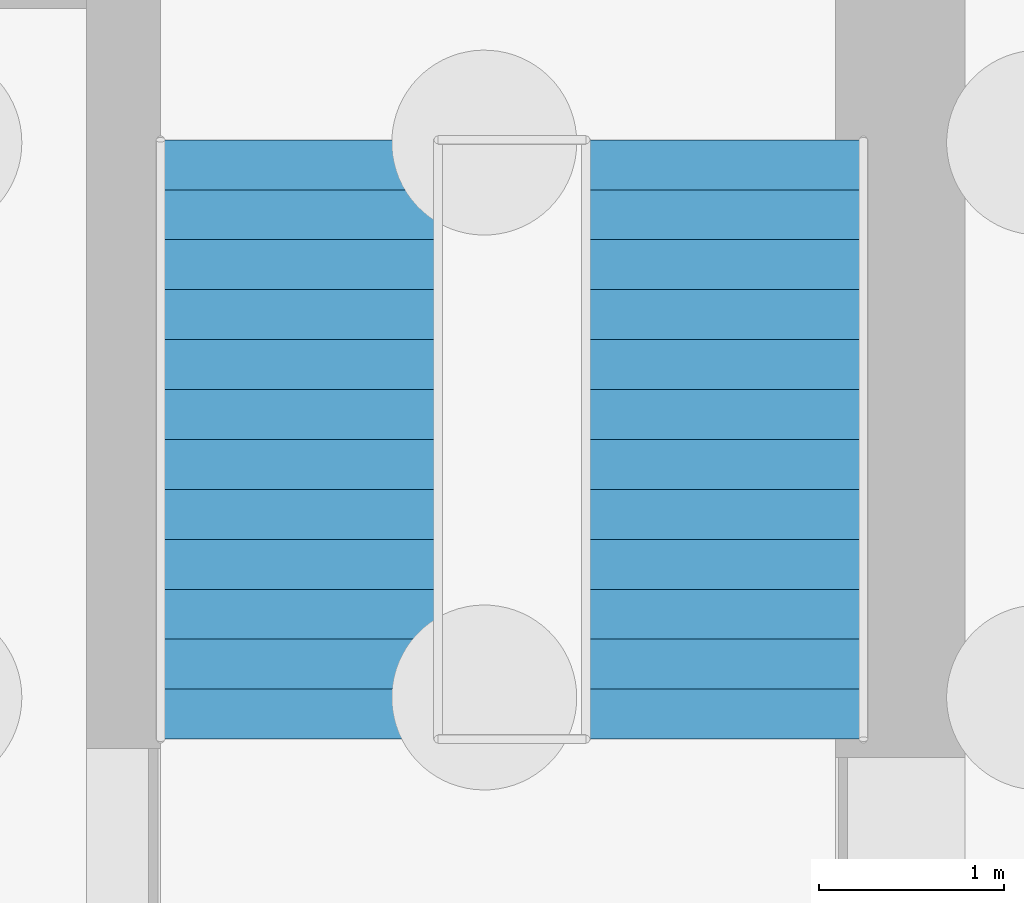
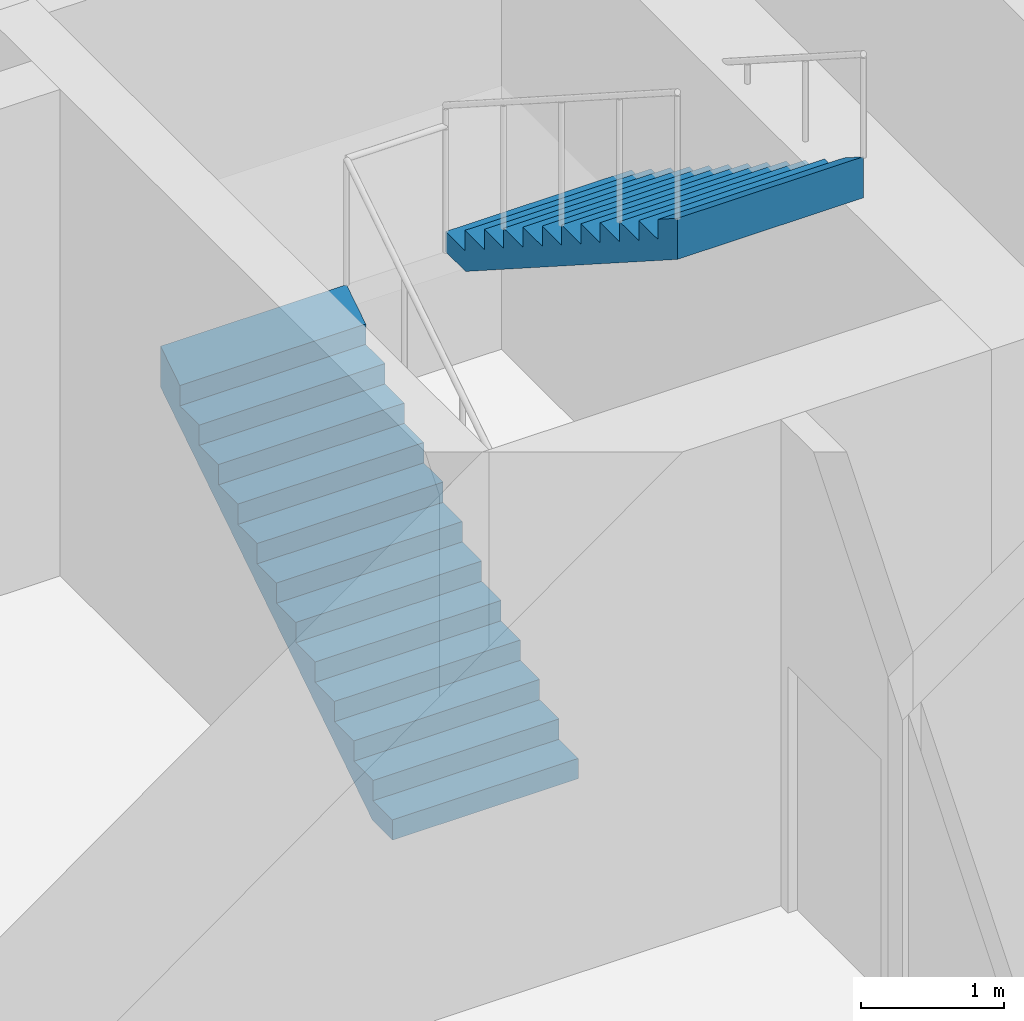
# One storey, part 12 of 16: 2 stair flights, 1 element without a shape of its own.
"""IFC4 building model written with IfcOpenShell, lengths in metres."""

import ifcopenshell
import ifcopenshell.guid

model = None  # the IFC model being written
_history = None  # IfcOwnerHistory: only IFC2X3 demands one
_inside = {}  # id of a spatial element -> (the spatial element, [elements in it])
_under = {}  # id of a project, library or spatial element -> (it, [spatial elements below it])
_declared = {}  # id of a project -> (the project, [libraries it declares])
_typed = {}  # id of a type object -> (the type object, [elements of that type])
_made_of = {}  # id of a material, layer set ... -> (it, [elements and type objects made of it])


def new_model(schema):
    """Start an empty IFC model of exactly this schema.

    Asked for "IFC4X3", IfcOpenShell would pick the latest addendum, in which some entities
    have other attributes; the version numbers below select the first issue.
    IFC2X3 requires an IfcOwnerHistory on every rooted entity: one is made here for all.
    """
    global model, _history
    if schema == "IFC4X3":
        model = ifcopenshell.file(schema_version=(4, 3, 0, 0))
    else:
        model = ifcopenshell.file(schema=schema)
    _inside.clear()
    _under.clear()
    _declared.clear()
    _typed.clear()
    _made_of.clear()
    _history = None
    if model.schema == "IFC2X3":
        org = make("IfcOrganization", Name="unknown")
        user = make(
            "IfcPersonAndOrganization",
            ThePerson=make("IfcPerson", FamilyName="unknown"),
            TheOrganization=org,
        )
        app = make(
            "IfcApplication",
            ApplicationDeveloper=org,
            Version="unknown",
            ApplicationFullName="unknown",
            ApplicationIdentifier="unknown",
        )
        _history = make(
            "IfcOwnerHistory",
            OwningUser=user,
            OwningApplication=app,
            ChangeAction="ADDED",
            CreationDate=0,
        )
    return model


def make(cls, **values):
    """One entity of the class cls with the attributes given. An attribute that is None is left unset."""
    return model.create_entity(
        cls, **{name: value for name, value in values.items() if value is not None}
    )


def rooted(cls, **values):
    """An entity with a GlobalId (a new one), such as an element, a storey or a relation."""
    return make(cls, GlobalId=ifcopenshell.guid.new(), OwnerHistory=_history, **values)


def si_unit(unit_type, name, prefix=None):
    """IfcSIUnit, for example si_unit("LENGTHUNIT", "METRE", prefix="MILLI")."""
    return make("IfcSIUnit", UnitType=unit_type, Prefix=prefix, Name=name)


def assignment(units):
    """IfcUnitAssignment: the units of a project."""
    return None if units is None else make("IfcUnitAssignment", Units=units)


def point(xyz):
    """IfcCartesianPoint."""
    return None if xyz is None else make("IfcCartesianPoint", Coordinates=xyz)


def direction(xyz):
    """IfcDirection."""
    return None if xyz is None else make("IfcDirection", DirectionRatios=xyz)


def frame(location, z_axis=None, x_axis=None):
    """IfcAxis2Placement3D, a coordinate frame: its origin and axes. An axis left out is left unset."""
    return make(
        "IfcAxis2Placement3D",
        Location=point(location),
        Axis=direction(z_axis),
        RefDirection=direction(x_axis),
    )


def origin():
    """The frame at (0, 0, 0) with its axes left unset."""
    return frame((0.0, 0.0, 0.0))


def place(relative_to, where):
    """IfcLocalPlacement: puts the frame where relative to a parent placement (None: the world)."""
    return make(
        "IfcLocalPlacement", PlacementRelTo=relative_to, RelativePlacement=where
    )


def context(
    kind, dimensions, precision=None, world=None, true_north=None, identifier=None
):
    """IfcGeometricRepresentationContext, for example the 3D "Model" context."""
    return make(
        "IfcGeometricRepresentationContext",
        ContextIdentifier=identifier,
        ContextType=kind,
        CoordinateSpaceDimension=dimensions,
        Precision=precision,
        WorldCoordinateSystem=world,
        TrueNorth=true_north,
    )


def subcontext(parent, identifier, kind, view, scale=None):
    """IfcGeometricRepresentationSubContext, for example "Body" below "Model"."""
    return make(
        "IfcGeometricRepresentationSubContext",
        ContextIdentifier=identifier,
        ContextType=kind,
        ParentContext=parent,
        TargetScale=scale,
        TargetView=view,
    )


def project(units=None, contexts=None):
    """IfcProject with its units and contexts."""
    return rooted(
        "IfcProject",
        Name="project",
        RepresentationContexts=contexts,
        UnitsInContext=assignment(units),
    )


def spatial(cls, under=None, at=None, **own):
    """A site, building, storey or space (cls), placed at a placement, below another one or the project."""
    s = rooted(cls, ObjectPlacement=at, **own)
    if under is not None:
        _under.setdefault(under.id(), (under, []))[1].append(s)
    return s


def point_list(points):
    """IfcCartesianPointList2D or 3D."""
    cls = (
        "IfcCartesianPointList2D" if len(points[0]) == 2 else "IfcCartesianPointList3D"
    )
    return make(cls, CoordList=points)


def triangles(points, corners, closed=None, point_numbers=None):
    """IfcTriangulatedFaceSet: each triangle names its three corners, points numbered from 1."""
    return make(
        "IfcTriangulatedFaceSet",
        Coordinates=point_list(points),
        Closed=closed,
        CoordIndex=corners,
        PnIndex=point_numbers,
    )


def shape(context_of_items, identifier, shape_type, items):
    """IfcShapeRepresentation: the items that make up one representation, for example the "Body"."""
    return make(
        "IfcShapeRepresentation",
        ContextOfItems=context_of_items,
        RepresentationIdentifier=identifier,
        RepresentationType=shape_type,
        Items=items,
    )


def material(Name=None, Category=None):
    """IfcMaterial."""
    return make("IfcMaterial", Name=Name, Category=Category)


def made_of(thing, what):
    """Note that an element or type object is made of a material, layer set ...; save() writes the relation."""
    if what is not None:
        _made_of.setdefault(what.id(), (what, []))[1].append(thing)
    return thing


def type_object(cls, material=None, **own):
    """A type object (cls), such as IfcWallType, which elements share."""
    return made_of(rooted(cls, **own), material)


def element(
    cls,
    number,
    at=None,
    inside=None,
    cuts=None,
    type_object=None,
    material=None,
    context=None,
    identifier="Body",
    shape_type=None,
    held_by="IfcProductDefinitionShape",
    body=None,
    shapes=None,
    **own,
):
    """One element of the class cls, such as IfcWall. Its Tag is "e" and its number.

    at: its placement. inside: the storey or other place that contains it. cuts: it is an
    opening in that element (IfcRelVoidsElement). A single representation is given by context,
    identifier, shape_type and body (its items); several are given by shapes. held_by: the class
    of the entity that holds the representations. save() writes the other relations.
    """
    e = rooted(cls, Tag="e%d" % number, ObjectPlacement=at, **own)
    if body is not None:
        shapes = [shape(context, identifier, shape_type, body)]
    if shapes is not None:
        e.Representation = make(held_by, Representations=shapes)
    if inside is not None:
        _inside.setdefault(inside.id(), (inside, []))[1].append(e)
    if cuts is not None:
        rooted(
            "IfcRelVoidsElement", RelatingBuildingElement=cuts, RelatedOpeningElement=e
        )
    if type_object is not None:
        _typed.setdefault(type_object.id(), (type_object, []))[1].append(e)
    return made_of(e, material)


def aggregate(whole, parts):
    """IfcRelAggregates: a whole, such as a stair, and the parts it consists of."""
    return rooted("IfcRelAggregates", RelatingObject=whole, RelatedObjects=parts)


def save(model, path):
    """Write the relations noted so far, then the file.

    IfcRelAggregates (storeys below a building ...), IfcRelContainedInSpatialStructure (elements
    in a storey), IfcRelDefinesByType, IfcRelAssociatesMaterial and IfcRelDeclares: one each for
    every whole, place, type object, material and project.
    """
    for whole, parts in _under.values():
        aggregate(whole, parts)
    for where, things in _inside.values():
        rooted(
            "IfcRelContainedInSpatialStructure",
            RelatedElements=things,
            RelatingStructure=where,
        )
    for kind, things in _typed.values():
        rooted("IfcRelDefinesByType", RelatedObjects=things, RelatingType=kind)
    for what, things in _made_of.values():
        rooted("IfcRelAssociatesMaterial", RelatedObjects=things, RelatingMaterial=what)
    for by, libraries in _declared.values():
        rooted("IfcRelDeclares", RelatingContext=by, RelatedDefinitions=libraries)
    model.write(path)


model = new_model("IFC4")

# Units and contexts
model_context = context("Model", 3, precision=1e-05, world=origin(), true_north=direction((0.0, 1.0)))
body_context = subcontext(model_context, "Body", "Model", "MODEL_VIEW")
ifc_project = project(units=[si_unit("LENGTHUNIT", "METRE"), si_unit("AREAUNIT", "SQUARE_METRE"), si_unit("VOLUMEUNIT", "CUBIC_METRE"), si_unit("PLANEANGLEUNIT", "RADIAN"), si_unit("MASSUNIT", "GRAM", prefix="KILO")], contexts=[model_context])

# Site, building, storey
site_placement = place(None, origin())
site = spatial("IfcSite", under=ifc_project, at=site_placement, CompositionType="ELEMENT")
building_placement = place(site_placement, origin())
building = spatial("IfcBuilding", under=site, at=building_placement, Name="Ludao Terraces", CompositionType="ELEMENT")
storey_placement = place(building_placement, frame((0.0, 0.0, -9.0)))
storey = spatial("IfcBuildingStorey", under=building, at=storey_placement, Name="B2", CompositionType="ELEMENT", Elevation=-9.0)

# Stair, stair flights
ifc_material = material(Name="Concrete C40", Category="concrete")
stair_type = type_object("IfcStairType", Name="INT Stair", PredefinedType="HALF_TURN_STAIR", material=ifc_material)
stair_placement = place(storey_placement, origin())
stair = element("IfcStair", 1, at=stair_placement, inside=storey, type_object=stair_type, Name="EXIT STAIR 3", PredefinedType="HALF_TURN_STAIR")
stair_flight_type = type_object("IfcStairFlightType", Name="INT Stair flight", PredefinedType="STRAIGHT", material=ifc_material)
stair_flight_1_placement = place(storey_placement, frame((91.5, 56.949951171875, 0.0), z_axis=(0.0, 0.0, 1.0), x_axis=(0.0, 1.0, 0.0)))
stair_flight_1 = element("IfcStairFlight", 2, at=stair_flight_1_placement, type_object=stair_flight_type, Name="ST3 flight 1", NumberOfRisers=13, NumberOfTreads=12, PredefinedType="STRAIGHT", RiserHeight=0.173077, TreadLength=0.27, context=body_context, shape_type="Tessellation", body=[
    triangles([(0.0, -0.75, 0.0), (0.0, -0.5, 0.0), (0.0, -0.25, 0.0), (0.0, 0.0, 0.0), (0.0, 0.25, 0.0), (0.0, 0.5, 0.0), (0.0, 0.75, 0.0), (0.0, -0.75, 0.173095703125), (0.0, -0.5, 0.173095703125), (0.0, -0.25, 0.173095703125), (0.0, 0.0, 0.173095703125), (0.0, 0.25, 0.173095703125), (0.0, 0.5, 0.173095703125), (0.0, 0.75, 0.173095703125), (0.27001953125, -0.75, 0.173095703125), (0.27001953125, -0.5, 0.173095703125), (0.27001953125, -0.25, 0.173095703125), (0.27001953125, 0.0, 0.173095703125), (0.27001953125, 0.25, 0.173095703125), (0.27001953125, 0.5, 0.173095703125), (0.27001953125, 0.75, 0.173095703125), (0.27001953125, -0.75, 0.34619140625), (0.27001953125, -0.5, 0.34619140625), (0.27001953125, -0.25, 0.34619140625), (0.27001953125, 0.0, 0.34619140625), (0.27001953125, 0.25, 0.34619140625), (0.27001953125, 0.5, 0.34619140625), (0.27001953125, 0.75, 0.34619140625), (0.5400390625, -0.75, 0.34619140625), (0.5400390625, -0.5, 0.34619140625), (0.5400390625, -0.25, 0.34619140625), (0.5400390625, 0.0, 0.34619140625), (0.5400390625, 0.25, 0.34619140625), (0.5400390625, 0.5, 0.34619140625), (0.5400390625, 0.75, 0.34619140625), (0.5400390625, -0.75, 0.519287109375), (0.5400390625, -0.5, 0.519287109375), (0.5400390625, -0.25, 0.519287109375), (0.5400390625, 0.0, 0.519287109375), (0.5400390625, 0.25, 0.519287109375), (0.5400390625, 0.5, 0.519287109375), (0.5400390625, 0.75, 0.519287109375), (0.81005859375, -0.75, 0.519287109375), (0.81005859375, -0.5, 0.519287109375), (0.81005859375, -0.25, 0.519287109375), (0.81005859375, 0.0, 0.519287109375), (0.81005859375, 0.25, 0.519287109375), (0.81005859375, 0.5, 0.519287109375), (0.81005859375, 0.75, 0.519287109375), (0.81005859375, -0.75, 0.6923828125), (0.81005859375, -0.5, 0.6923828125), (0.81005859375, -0.25, 0.6923828125), (0.81005859375, 0.0, 0.6923828125), (0.81005859375, 0.25, 0.6923828125), (0.81005859375, 0.5, 0.6923828125), (0.81005859375, 0.75, 0.6923828125), (1.080078125, -0.75, 0.6923828125), (1.080078125, -0.5, 0.6923828125), (1.080078125, -0.25, 0.6923828125), (1.080078125, 0.0, 0.6923828125), (1.080078125, 0.25, 0.6923828125), (1.080078125, 0.5, 0.6923828125), (1.080078125, 0.75, 0.6923828125), (1.080078125, -0.75, 0.865478515625), (1.080078125, -0.5, 0.865478515625), (1.080078125, -0.25, 0.865478515625), (1.080078125, 0.0, 0.865478515625), (1.080078125, 0.25, 0.865478515625), (1.080078125, 0.5, 0.865478515625), (1.080078125, 0.75, 0.865478515625), (1.35009765625, -0.75, 0.865478515625), (1.35009765625, -0.5, 0.865478515625), (1.35009765625, -0.25, 0.865478515625), (1.35009765625, 0.0, 0.865478515625), (1.35009765625, 0.25, 0.865478515625), (1.35009765625, 0.5, 0.865478515625), (1.35009765625, 0.75, 0.865478515625), (1.35009765625, -0.75, 1.03857421875), (1.35009765625, -0.5, 1.03857421875), (1.35009765625, -0.25, 1.03857421875), (1.35009765625, 0.0, 1.03857421875), (1.35009765625, 0.25, 1.03857421875), (1.35009765625, 0.5, 1.03857421875), (1.35009765625, 0.75, 1.03857421875), (1.6201171875, -0.75, 1.03857421875), (1.6201171875, -0.5, 1.03857421875), (1.6201171875, -0.25, 1.03857421875), (1.6201171875, 0.0, 1.03857421875), (1.6201171875, 0.25, 1.03857421875), (1.6201171875, 0.5, 1.03857421875), (1.6201171875, 0.75, 1.03857421875), (1.6201171875, -0.75, 1.21142578125), (1.6201171875, -0.5, 1.21142578125), (1.6201171875, -0.25, 1.21142578125), (1.6201171875, 0.0, 1.21142578125), (1.6201171875, 0.25, 1.21142578125), (1.6201171875, 0.5, 1.21142578125), (1.6201171875, 0.75, 1.21142578125), (1.889892578125, -0.75, 1.21142578125), (1.889892578125, -0.5, 1.21142578125), (1.889892578125, -0.25, 1.21142578125), (1.889892578125, 0.0, 1.21142578125), (1.889892578125, 0.25, 1.21142578125), (1.889892578125, 0.5, 1.21142578125), (1.889892578125, 0.75, 1.21142578125), (1.889892578125, -0.75, 1.384521484375), (1.889892578125, -0.5, 1.384521484375), (1.889892578125, -0.25, 1.384521484375), (1.889892578125, 0.0, 1.384521484375), (1.889892578125, 0.25, 1.384521484375), (1.889892578125, 0.5, 1.384521484375), (1.889892578125, 0.75, 1.384521484375), (2.159912109375, -0.75, 1.384521484375), (2.159912109375, -0.5, 1.384521484375), (2.159912109375, -0.25, 1.384521484375), (2.159912109375, 0.0, 1.384521484375), (2.159912109375, 0.25, 1.384521484375), (2.159912109375, 0.5, 1.384521484375), (2.159912109375, 0.75, 1.384521484375), (2.159912109375, -0.75, 1.5576171875), (2.159912109375, -0.5, 1.5576171875), (2.159912109375, -0.25, 1.5576171875), (2.159912109375, 0.0, 1.5576171875), (2.159912109375, 0.25, 1.5576171875), (2.159912109375, 0.5, 1.5576171875), (2.159912109375, 0.75, 1.5576171875), (2.429931640625, -0.75, 1.5576171875), (2.429931640625, -0.5, 1.5576171875), (2.429931640625, -0.25, 1.5576171875), (2.429931640625, 0.0, 1.5576171875), (2.429931640625, 0.25, 1.5576171875), (2.429931640625, 0.5, 1.5576171875), (2.429931640625, 0.75, 1.5576171875), (2.429931640625, -0.75, 1.730712890625), (2.429931640625, -0.5, 1.730712890625), (2.429931640625, -0.25, 1.730712890625), (2.429931640625, 0.0, 1.730712890625), (2.429931640625, 0.25, 1.730712890625), (2.429931640625, 0.5, 1.730712890625), (2.429931640625, 0.75, 1.730712890625), (2.699951171875, -0.75, 1.730712890625), (2.699951171875, -0.5, 1.730712890625), (2.699951171875, -0.25, 1.730712890625), (2.699951171875, 0.0, 1.730712890625), (2.699951171875, 0.25, 1.730712890625), (2.699951171875, 0.5, 1.730712890625), (2.699951171875, 0.75, 1.730712890625), (2.699951171875, -0.75, 1.90380859375), (2.699951171875, -0.5, 1.90380859375), (2.699951171875, -0.25, 1.90380859375), (2.699951171875, 0.0, 1.90380859375), (2.699951171875, 0.25, 1.90380859375), (2.699951171875, 0.5, 1.90380859375), (2.699951171875, 0.75, 1.90380859375), (2.969970703125, -0.75, 1.90380859375), (2.969970703125, -0.5, 1.90380859375), (2.969970703125, -0.25, 1.90380859375), (2.969970703125, 0.0, 1.90380859375), (2.969970703125, 0.25, 1.90380859375), (2.969970703125, 0.5, 1.90380859375), (2.969970703125, 0.75, 1.90380859375), (2.969970703125, -0.75, 2.076904296875), (2.969970703125, -0.5, 2.076904296875), (2.969970703125, -0.25, 2.076904296875), (2.969970703125, 0.0, 2.076904296875), (2.969970703125, 0.25, 2.076904296875), (2.969970703125, 0.5, 2.076904296875), (2.969970703125, 0.75, 2.076904296875), (3.239990234375, -0.75, 2.25), (3.239990234375, -0.5, 2.25), (3.239990234375, -0.25, 2.25), (3.239990234375, 0.0, 2.25), (3.239990234375, 0.25, 2.25), (3.239990234375, 0.5, 2.25), (3.239990234375, 0.75, 2.25), (3.239990234375, -0.75, 1.89892578125), (3.239990234375, -0.5, 1.89892578125), (3.239990234375, -0.25, 1.89892578125), (3.239990234375, 0.0, 1.89892578125), (3.239990234375, 0.25, 1.89892578125), (3.239990234375, 0.5, 1.89892578125), (3.239990234375, 0.75, 1.89892578125), (0.27783203125, -0.75, 0.0), (0.27783203125, -0.5, 0.0), (0.27783203125, -0.25, 0.0), (0.27783203125, 0.0, 0.0), (0.27783203125, 0.25, 0.0), (0.27783203125, 0.5, 0.0), (0.27783203125, 0.75, 0.0)], [[1, 183, 176], [7, 182, 189], [176, 169, 162], [182, 168, 175], [176, 162, 155], [182, 161, 168], [176, 155, 148], [182, 154, 161], [176, 148, 141], [182, 147, 154], [141, 134, 127], [147, 133, 140], [176, 141, 127], [182, 133, 147], [127, 120, 113], [133, 119, 126], [176, 127, 113], [182, 119, 133], [113, 106, 99], [119, 105, 112], [176, 113, 99], [182, 105, 119], [1, 176, 99], [7, 105, 182], [99, 92, 85], [105, 91, 98], [85, 78, 71], [91, 77, 84], [99, 85, 71], [105, 77, 91], [71, 64, 57], [77, 63, 70], [99, 71, 57], [105, 63, 77], [57, 50, 43], [63, 49, 56], [99, 57, 43], [105, 49, 63], [43, 36, 29], [49, 35, 42], [99, 43, 29], [105, 35, 49], [29, 22, 15], [35, 21, 28], [99, 29, 15], [105, 21, 35], [1, 99, 15], [7, 21, 105], [15, 8, 1], [21, 7, 14], [1, 9, 2], [1, 8, 9], [2, 10, 3], [2, 9, 10], [3, 11, 4], [3, 10, 11], [4, 12, 5], [4, 11, 12], [5, 13, 6], [5, 12, 13], [6, 14, 7], [6, 13, 14], [8, 16, 9], [8, 15, 16], [9, 17, 10], [9, 16, 17], [10, 18, 11], [10, 17, 18], [11, 19, 12], [11, 18, 19], [12, 20, 13], [12, 19, 20], [13, 21, 14], [13, 20, 21], [15, 23, 16], [15, 22, 23], [16, 24, 17], [16, 23, 24], [17, 25, 18], [17, 24, 25], [18, 26, 19], [18, 25, 26], [19, 27, 20], [19, 26, 27], [20, 28, 21], [20, 27, 28], [22, 30, 23], [22, 29, 30], [23, 31, 24], [23, 30, 31], [24, 32, 25], [24, 31, 32], [25, 33, 26], [25, 32, 33], [26, 34, 27], [26, 33, 34], [27, 35, 28], [27, 34, 35], [29, 37, 30], [29, 36, 37], [30, 38, 31], [30, 37, 38], [31, 39, 32], [31, 38, 39], [32, 40, 33], [32, 39, 40], [33, 41, 34], [33, 40, 41], [34, 42, 35], [34, 41, 42], [36, 44, 37], [36, 43, 44], [37, 45, 38], [37, 44, 45], [38, 46, 39], [38, 45, 46], [39, 47, 40], [39, 46, 47], [40, 48, 41], [40, 47, 48], [41, 49, 42], [41, 48, 49], [43, 51, 44], [43, 50, 51], [44, 52, 45], [44, 51, 52], [45, 53, 46], [45, 52, 53], [46, 54, 47], [46, 53, 54], [47, 55, 48], [47, 54, 55], [48, 56, 49], [48, 55, 56], [50, 58, 51], [50, 57, 58], [51, 59, 52], [51, 58, 59], [52, 60, 53], [52, 59, 60], [53, 61, 54], [53, 60, 61], [54, 62, 55], [54, 61, 62], [55, 63, 56], [55, 62, 63], [57, 65, 58], [57, 64, 65], [58, 66, 59], [58, 65, 66], [59, 67, 60], [59, 66, 67], [60, 68, 61], [60, 67, 68], [61, 69, 62], [61, 68, 69], [62, 70, 63], [62, 69, 70], [64, 72, 65], [64, 71, 72], [65, 73, 66], [65, 72, 73], [66, 74, 67], [66, 73, 74], [67, 75, 68], [67, 74, 75], [68, 76, 69], [68, 75, 76], [69, 77, 70], [69, 76, 77], [71, 79, 72], [71, 78, 79], [72, 80, 73], [72, 79, 80], [73, 81, 74], [73, 80, 81], [74, 82, 75], [74, 81, 82], [75, 83, 76], [75, 82, 83], [76, 84, 77], [76, 83, 84], [78, 86, 79], [78, 85, 86], [79, 87, 80], [79, 86, 87], [80, 88, 81], [80, 87, 88], [81, 89, 82], [81, 88, 89], [82, 90, 83], [82, 89, 90], [83, 91, 84], [83, 90, 91], [85, 93, 86], [85, 92, 93], [86, 94, 87], [86, 93, 94], [87, 95, 88], [87, 94, 95], [88, 96, 89], [88, 95, 96], [89, 97, 90], [89, 96, 97], [90, 98, 91], [90, 97, 98], [92, 100, 93], [92, 99, 100], [93, 101, 94], [93, 100, 101], [94, 102, 95], [94, 101, 102], [95, 103, 96], [95, 102, 103], [96, 104, 97], [96, 103, 104], [97, 105, 98], [97, 104, 105], [99, 107, 100], [99, 106, 107], [100, 108, 101], [100, 107, 108], [101, 109, 102], [101, 108, 109], [102, 110, 103], [102, 109, 110], [103, 111, 104], [103, 110, 111], [104, 112, 105], [104, 111, 112], [106, 114, 107], [106, 113, 114], [107, 115, 108], [107, 114, 115], [108, 116, 109], [108, 115, 116], [109, 117, 110], [109, 116, 117], [110, 118, 111], [110, 117, 118], [111, 119, 112], [111, 118, 119], [113, 121, 114], [113, 120, 121], [114, 122, 115], [114, 121, 122], [115, 123, 116], [115, 122, 123], [116, 124, 117], [116, 123, 124], [117, 125, 118], [117, 124, 125], [118, 126, 119], [118, 125, 126], [120, 128, 121], [120, 127, 128], [121, 129, 122], [121, 128, 129], [122, 130, 123], [122, 129, 130], [123, 131, 124], [123, 130, 131], [124, 132, 125], [124, 131, 132], [125, 133, 126], [125, 132, 133], [127, 135, 128], [127, 134, 135], [128, 136, 129], [128, 135, 136], [129, 137, 130], [129, 136, 137], [130, 138, 131], [130, 137, 138], [131, 139, 132], [131, 138, 139], [132, 140, 133], [132, 139, 140], [134, 142, 135], [134, 141, 142], [135, 143, 136], [135, 142, 143], [136, 144, 137], [136, 143, 144], [137, 145, 138], [137, 144, 145], [138, 146, 139], [138, 145, 146], [139, 147, 140], [139, 146, 147], [141, 149, 142], [141, 148, 149], [142, 150, 143], [142, 149, 150], [143, 151, 144], [143, 150, 151], [144, 152, 145], [144, 151, 152], [145, 153, 146], [145, 152, 153], [146, 154, 147], [146, 153, 154], [148, 156, 149], [148, 155, 156], [149, 157, 150], [149, 156, 157], [150, 158, 151], [150, 157, 158], [151, 159, 152], [151, 158, 159], [152, 160, 153], [152, 159, 160], [153, 161, 154], [153, 160, 161], [155, 163, 156], [155, 162, 163], [156, 164, 157], [156, 163, 164], [157, 165, 158], [157, 164, 165], [158, 166, 159], [158, 165, 166], [159, 167, 160], [159, 166, 167], [160, 168, 161], [160, 167, 168], [162, 170, 163], [162, 169, 170], [163, 171, 164], [163, 170, 171], [164, 172, 165], [164, 171, 172], [165, 173, 166], [165, 172, 173], [166, 174, 167], [166, 173, 174], [167, 175, 168], [167, 174, 175], [169, 177, 170], [169, 176, 177], [170, 178, 171], [170, 177, 178], [171, 179, 172], [171, 178, 179], [172, 180, 173], [172, 179, 180], [173, 181, 174], [173, 180, 181], [174, 182, 175], [174, 181, 182], [176, 184, 177], [176, 183, 184], [177, 185, 178], [177, 184, 185], [178, 186, 179], [178, 185, 186], [179, 187, 180], [179, 186, 187], [180, 188, 181], [180, 187, 188], [181, 189, 182], [181, 188, 189], [183, 2, 184], [183, 1, 2], [184, 3, 185], [184, 2, 3], [185, 4, 186], [185, 3, 4], [186, 5, 187], [186, 4, 5], [187, 6, 188], [187, 5, 6], [188, 7, 189], [188, 6, 7]], closed=True),
])
stair_flight_2_placement = place(storey_placement, frame((93.800048828125, 60.18994140625, 2.25), z_axis=(0.0, 0.0, 1.0), x_axis=(0.0, -1.0, 0.0)))
stair_flight_2 = element("IfcStairFlight", 3, at=stair_flight_2_placement, type_object=stair_flight_type, Name="ST3 flight 2", NumberOfRisers=13, NumberOfTreads=12, PredefinedType="STRAIGHT", RiserHeight=0.173077, TreadLength=0.27, context=body_context, shape_type="Tessellation", body=[
    triangles([(0.0, -0.75, 0.0), (0.0, -0.5, 0.0), (0.0, -0.25, 0.0), (0.0, 0.0, 0.0), (0.0, 0.25, 0.0), (0.0, 0.5, 0.0), (0.0, 0.75, 0.0), (0.0, -0.75, 0.173095703125), (0.0, -0.5, 0.173095703125), (0.0, -0.25, 0.173095703125), (0.0, 0.0, 0.173095703125), (0.0, 0.25, 0.173095703125), (0.0, 0.5, 0.173095703125), (0.0, 0.75, 0.173095703125), (0.27001953125, -0.75, 0.173095703125), (0.27001953125, -0.5, 0.173095703125), (0.27001953125, -0.25, 0.173095703125), (0.27001953125, 0.0, 0.173095703125), (0.27001953125, 0.25, 0.173095703125), (0.27001953125, 0.5, 0.173095703125), (0.27001953125, 0.75, 0.173095703125), (0.27001953125, -0.75, 0.34619140625), (0.27001953125, -0.5, 0.34619140625), (0.27001953125, -0.25, 0.34619140625), (0.27001953125, 0.0, 0.34619140625), (0.27001953125, 0.25, 0.34619140625), (0.27001953125, 0.5, 0.34619140625), (0.27001953125, 0.75, 0.34619140625), (0.5400390625, -0.75, 0.34619140625), (0.5400390625, -0.5, 0.34619140625), (0.5400390625, -0.25, 0.34619140625), (0.5400390625, 0.0, 0.34619140625), (0.5400390625, 0.25, 0.34619140625), (0.5400390625, 0.5, 0.34619140625), (0.5400390625, 0.75, 0.34619140625), (0.5400390625, -0.75, 0.519287109375), (0.5400390625, -0.5, 0.519287109375), (0.5400390625, -0.25, 0.519287109375), (0.5400390625, 0.0, 0.519287109375), (0.5400390625, 0.25, 0.519287109375), (0.5400390625, 0.5, 0.519287109375), (0.5400390625, 0.75, 0.519287109375), (0.81005859375, -0.75, 0.519287109375), (0.81005859375, -0.5, 0.519287109375), (0.81005859375, -0.25, 0.519287109375), (0.81005859375, 0.0, 0.519287109375), (0.81005859375, 0.25, 0.519287109375), (0.81005859375, 0.5, 0.519287109375), (0.81005859375, 0.75, 0.519287109375), (0.81005859375, -0.75, 0.6923828125), (0.81005859375, -0.5, 0.6923828125), (0.81005859375, -0.25, 0.6923828125), (0.81005859375, 0.0, 0.6923828125), (0.81005859375, 0.25, 0.6923828125), (0.81005859375, 0.5, 0.6923828125), (0.81005859375, 0.75, 0.6923828125), (1.080078125, -0.75, 0.6923828125), (1.080078125, -0.5, 0.6923828125), (1.080078125, -0.25, 0.6923828125), (1.080078125, 0.0, 0.6923828125), (1.080078125, 0.25, 0.6923828125), (1.080078125, 0.5, 0.6923828125), (1.080078125, 0.75, 0.6923828125), (1.080078125, -0.75, 0.865478515625), (1.080078125, -0.5, 0.865478515625), (1.080078125, -0.25, 0.865478515625), (1.080078125, 0.0, 0.865478515625), (1.080078125, 0.25, 0.865478515625), (1.080078125, 0.5, 0.865478515625), (1.080078125, 0.75, 0.865478515625), (1.35009765625, -0.75, 0.865478515625), (1.35009765625, -0.5, 0.865478515625), (1.35009765625, -0.25, 0.865478515625), (1.35009765625, 0.0, 0.865478515625), (1.35009765625, 0.25, 0.865478515625), (1.35009765625, 0.5, 0.865478515625), (1.35009765625, 0.75, 0.865478515625), (1.35009765625, -0.75, 1.03857421875), (1.35009765625, -0.5, 1.03857421875), (1.35009765625, -0.25, 1.03857421875), (1.35009765625, 0.0, 1.03857421875), (1.35009765625, 0.25, 1.03857421875), (1.35009765625, 0.5, 1.03857421875), (1.35009765625, 0.75, 1.03857421875), (1.6201171875, -0.75, 1.03857421875), (1.6201171875, -0.5, 1.03857421875), (1.6201171875, -0.25, 1.03857421875), (1.6201171875, 0.0, 1.03857421875), (1.6201171875, 0.25, 1.03857421875), (1.6201171875, 0.5, 1.03857421875), (1.6201171875, 0.75, 1.03857421875), (1.6201171875, -0.75, 1.21142578125), (1.6201171875, -0.5, 1.21142578125), (1.6201171875, -0.25, 1.21142578125), (1.6201171875, 0.0, 1.21142578125), (1.6201171875, 0.25, 1.21142578125), (1.6201171875, 0.5, 1.21142578125), (1.6201171875, 0.75, 1.21142578125), (1.889892578125, -0.75, 1.21142578125), (1.889892578125, -0.5, 1.21142578125), (1.889892578125, -0.25, 1.21142578125), (1.889892578125, 0.0, 1.21142578125), (1.889892578125, 0.25, 1.21142578125), (1.889892578125, 0.5, 1.21142578125), (1.889892578125, 0.75, 1.21142578125), (1.889892578125, -0.75, 1.384521484375), (1.889892578125, -0.5, 1.384521484375), (1.889892578125, -0.25, 1.384521484375), (1.889892578125, 0.0, 1.384521484375), (1.889892578125, 0.25, 1.384521484375), (1.889892578125, 0.5, 1.384521484375), (1.889892578125, 0.75, 1.384521484375), (2.159912109375, -0.75, 1.384521484375), (2.159912109375, -0.5, 1.384521484375), (2.159912109375, -0.25, 1.384521484375), (2.159912109375, 0.0, 1.384521484375), (2.159912109375, 0.25, 1.384521484375), (2.159912109375, 0.5, 1.384521484375), (2.159912109375, 0.75, 1.384521484375), (2.159912109375, -0.75, 1.5576171875), (2.159912109375, -0.5, 1.5576171875), (2.159912109375, -0.25, 1.5576171875), (2.159912109375, 0.0, 1.5576171875), (2.159912109375, 0.25, 1.5576171875), (2.159912109375, 0.5, 1.5576171875), (2.159912109375, 0.75, 1.5576171875), (2.429931640625, -0.75, 1.5576171875), (2.429931640625, -0.5, 1.5576171875), (2.429931640625, -0.25, 1.5576171875), (2.429931640625, 0.0, 1.5576171875), (2.429931640625, 0.25, 1.5576171875), (2.429931640625, 0.5, 1.5576171875), (2.429931640625, 0.75, 1.5576171875), (2.429931640625, -0.75, 1.730712890625), (2.429931640625, -0.5, 1.730712890625), (2.429931640625, -0.25, 1.730712890625), (2.429931640625, 0.0, 1.730712890625), (2.429931640625, 0.25, 1.730712890625), (2.429931640625, 0.5, 1.730712890625), (2.429931640625, 0.75, 1.730712890625), (2.699951171875, -0.75, 1.730712890625), (2.699951171875, -0.5, 1.730712890625), (2.699951171875, -0.25, 1.730712890625), (2.699951171875, 0.0, 1.730712890625), (2.699951171875, 0.25, 1.730712890625), (2.699951171875, 0.5, 1.730712890625), (2.699951171875, 0.75, 1.730712890625), (2.699951171875, -0.75, 1.90380859375), (2.699951171875, -0.5, 1.90380859375), (2.699951171875, -0.25, 1.90380859375), (2.699951171875, 0.0, 1.90380859375), (2.699951171875, 0.25, 1.90380859375), (2.699951171875, 0.5, 1.90380859375), (2.699951171875, 0.75, 1.90380859375), (2.969970703125, -0.75, 1.90380859375), (2.969970703125, -0.5, 1.90380859375), (2.969970703125, -0.25, 1.90380859375), (2.969970703125, 0.0, 1.90380859375), (2.969970703125, 0.25, 1.90380859375), (2.969970703125, 0.5, 1.90380859375), (2.969970703125, 0.75, 1.90380859375), (2.969970703125, -0.75, 2.076904296875), (2.969970703125, -0.5, 2.076904296875), (2.969970703125, -0.25, 2.076904296875), (2.969970703125, 0.0, 2.076904296875), (2.969970703125, 0.25, 2.076904296875), (2.969970703125, 0.5, 2.076904296875), (2.969970703125, 0.75, 2.076904296875), (3.239990234375, -0.75, 2.25), (3.239990234375, -0.5, 2.25), (3.239990234375, -0.25, 2.25), (3.239990234375, 0.0, 2.25), (3.239990234375, 0.25, 2.25), (3.239990234375, 0.5, 2.25), (3.239990234375, 0.75, 2.25), (3.239990234375, -0.75, 1.89892578125), (3.239990234375, -0.5, 1.89892578125), (3.239990234375, -0.25, 1.89892578125), (3.239990234375, 0.0, 1.89892578125), (3.239990234375, 0.25, 1.89892578125), (3.239990234375, 0.5, 1.89892578125), (3.239990234375, 0.75, 1.89892578125), (0.27783203125, -0.75, 0.0), (0.27783203125, -0.5, 0.0), (0.27783203125, -0.25, 0.0), (0.27783203125, 0.0, 0.0), (0.27783203125, 0.25, 0.0), (0.27783203125, 0.5, 0.0), (0.27783203125, 0.75, 0.0)], [[1, 183, 176], [7, 182, 189], [176, 169, 162], [182, 168, 175], [176, 162, 155], [182, 161, 168], [176, 155, 148], [182, 154, 161], [176, 148, 141], [182, 147, 154], [141, 134, 127], [147, 133, 140], [176, 141, 127], [182, 133, 147], [127, 120, 113], [133, 119, 126], [176, 127, 113], [182, 119, 133], [113, 106, 99], [119, 105, 112], [176, 113, 99], [182, 105, 119], [1, 176, 99], [7, 105, 182], [99, 92, 85], [105, 91, 98], [85, 78, 71], [91, 77, 84], [99, 85, 71], [105, 77, 91], [71, 64, 57], [77, 63, 70], [99, 71, 57], [105, 63, 77], [57, 50, 43], [63, 49, 56], [99, 57, 43], [105, 49, 63], [43, 36, 29], [49, 35, 42], [99, 43, 29], [105, 35, 49], [29, 22, 15], [35, 21, 28], [99, 29, 15], [105, 21, 35], [1, 99, 15], [7, 21, 105], [15, 8, 1], [21, 7, 14], [1, 9, 2], [1, 8, 9], [2, 10, 3], [2, 9, 10], [3, 11, 4], [3, 10, 11], [4, 12, 5], [4, 11, 12], [5, 13, 6], [5, 12, 13], [6, 14, 7], [6, 13, 14], [8, 16, 9], [8, 15, 16], [9, 17, 10], [9, 16, 17], [10, 18, 11], [10, 17, 18], [11, 19, 12], [11, 18, 19], [12, 20, 13], [12, 19, 20], [13, 21, 14], [13, 20, 21], [15, 23, 16], [15, 22, 23], [16, 24, 17], [16, 23, 24], [17, 25, 18], [17, 24, 25], [18, 26, 19], [18, 25, 26], [19, 27, 20], [19, 26, 27], [20, 28, 21], [20, 27, 28], [22, 30, 23], [22, 29, 30], [23, 31, 24], [23, 30, 31], [24, 32, 25], [24, 31, 32], [25, 33, 26], [25, 32, 33], [26, 34, 27], [26, 33, 34], [27, 35, 28], [27, 34, 35], [29, 37, 30], [29, 36, 37], [30, 38, 31], [30, 37, 38], [31, 39, 32], [31, 38, 39], [32, 40, 33], [32, 39, 40], [33, 41, 34], [33, 40, 41], [34, 42, 35], [34, 41, 42], [36, 44, 37], [36, 43, 44], [37, 45, 38], [37, 44, 45], [38, 46, 39], [38, 45, 46], [39, 47, 40], [39, 46, 47], [40, 48, 41], [40, 47, 48], [41, 49, 42], [41, 48, 49], [43, 51, 44], [43, 50, 51], [44, 52, 45], [44, 51, 52], [45, 53, 46], [45, 52, 53], [46, 54, 47], [46, 53, 54], [47, 55, 48], [47, 54, 55], [48, 56, 49], [48, 55, 56], [50, 58, 51], [50, 57, 58], [51, 59, 52], [51, 58, 59], [52, 60, 53], [52, 59, 60], [53, 61, 54], [53, 60, 61], [54, 62, 55], [54, 61, 62], [55, 63, 56], [55, 62, 63], [57, 65, 58], [57, 64, 65], [58, 66, 59], [58, 65, 66], [59, 67, 60], [59, 66, 67], [60, 68, 61], [60, 67, 68], [61, 69, 62], [61, 68, 69], [62, 70, 63], [62, 69, 70], [64, 72, 65], [64, 71, 72], [65, 73, 66], [65, 72, 73], [66, 74, 67], [66, 73, 74], [67, 75, 68], [67, 74, 75], [68, 76, 69], [68, 75, 76], [69, 77, 70], [69, 76, 77], [71, 79, 72], [71, 78, 79], [72, 80, 73], [72, 79, 80], [73, 81, 74], [73, 80, 81], [74, 82, 75], [74, 81, 82], [75, 83, 76], [75, 82, 83], [76, 84, 77], [76, 83, 84], [78, 86, 79], [78, 85, 86], [79, 87, 80], [79, 86, 87], [80, 88, 81], [80, 87, 88], [81, 89, 82], [81, 88, 89], [82, 90, 83], [82, 89, 90], [83, 91, 84], [83, 90, 91], [85, 93, 86], [85, 92, 93], [86, 94, 87], [86, 93, 94], [87, 95, 88], [87, 94, 95], [88, 96, 89], [88, 95, 96], [89, 97, 90], [89, 96, 97], [90, 98, 91], [90, 97, 98], [92, 100, 93], [92, 99, 100], [93, 101, 94], [93, 100, 101], [94, 102, 95], [94, 101, 102], [95, 103, 96], [95, 102, 103], [96, 104, 97], [96, 103, 104], [97, 105, 98], [97, 104, 105], [99, 107, 100], [99, 106, 107], [100, 108, 101], [100, 107, 108], [101, 109, 102], [101, 108, 109], [102, 110, 103], [102, 109, 110], [103, 111, 104], [103, 110, 111], [104, 112, 105], [104, 111, 112], [106, 114, 107], [106, 113, 114], [107, 115, 108], [107, 114, 115], [108, 116, 109], [108, 115, 116], [109, 117, 110], [109, 116, 117], [110, 118, 111], [110, 117, 118], [111, 119, 112], [111, 118, 119], [113, 121, 114], [113, 120, 121], [114, 122, 115], [114, 121, 122], [115, 123, 116], [115, 122, 123], [116, 124, 117], [116, 123, 124], [117, 125, 118], [117, 124, 125], [118, 126, 119], [118, 125, 126], [120, 128, 121], [120, 127, 128], [121, 129, 122], [121, 128, 129], [122, 130, 123], [122, 129, 130], [123, 131, 124], [123, 130, 131], [124, 132, 125], [124, 131, 132], [125, 133, 126], [125, 132, 133], [127, 135, 128], [127, 134, 135], [128, 136, 129], [128, 135, 136], [129, 137, 130], [129, 136, 137], [130, 138, 131], [130, 137, 138], [131, 139, 132], [131, 138, 139], [132, 140, 133], [132, 139, 140], [134, 142, 135], [134, 141, 142], [135, 143, 136], [135, 142, 143], [136, 144, 137], [136, 143, 144], [137, 145, 138], [137, 144, 145], [138, 146, 139], [138, 145, 146], [139, 147, 140], [139, 146, 147], [141, 149, 142], [141, 148, 149], [142, 150, 143], [142, 149, 150], [143, 151, 144], [143, 150, 151], [144, 152, 145], [144, 151, 152], [145, 153, 146], [145, 152, 153], [146, 154, 147], [146, 153, 154], [148, 156, 149], [148, 155, 156], [149, 157, 150], [149, 156, 157], [150, 158, 151], [150, 157, 158], [151, 159, 152], [151, 158, 159], [152, 160, 153], [152, 159, 160], [153, 161, 154], [153, 160, 161], [155, 163, 156], [155, 162, 163], [156, 164, 157], [156, 163, 164], [157, 165, 158], [157, 164, 165], [158, 166, 159], [158, 165, 166], [159, 167, 160], [159, 166, 167], [160, 168, 161], [160, 167, 168], [162, 170, 163], [162, 169, 170], [163, 171, 164], [163, 170, 171], [164, 172, 165], [164, 171, 172], [165, 173, 166], [165, 172, 173], [166, 174, 167], [166, 173, 174], [167, 175, 168], [167, 174, 175], [169, 177, 170], [169, 176, 177], [170, 178, 171], [170, 177, 178], [171, 179, 172], [171, 178, 179], [172, 180, 173], [172, 179, 180], [173, 181, 174], [173, 180, 181], [174, 182, 175], [174, 181, 182], [176, 184, 177], [176, 183, 184], [177, 185, 178], [177, 184, 185], [178, 186, 179], [178, 185, 186], [179, 187, 180], [179, 186, 187], [180, 188, 181], [180, 187, 188], [181, 189, 182], [181, 188, 189], [183, 2, 184], [183, 1, 2], [184, 3, 185], [184, 2, 3], [185, 4, 186], [185, 3, 4], [186, 5, 187], [186, 4, 5], [187, 6, 188], [187, 5, 6], [188, 7, 189], [188, 6, 7]], closed=True),
])
aggregate(stair, [stair_flight_1, stair_flight_2])

save(model, "model.ifc")
